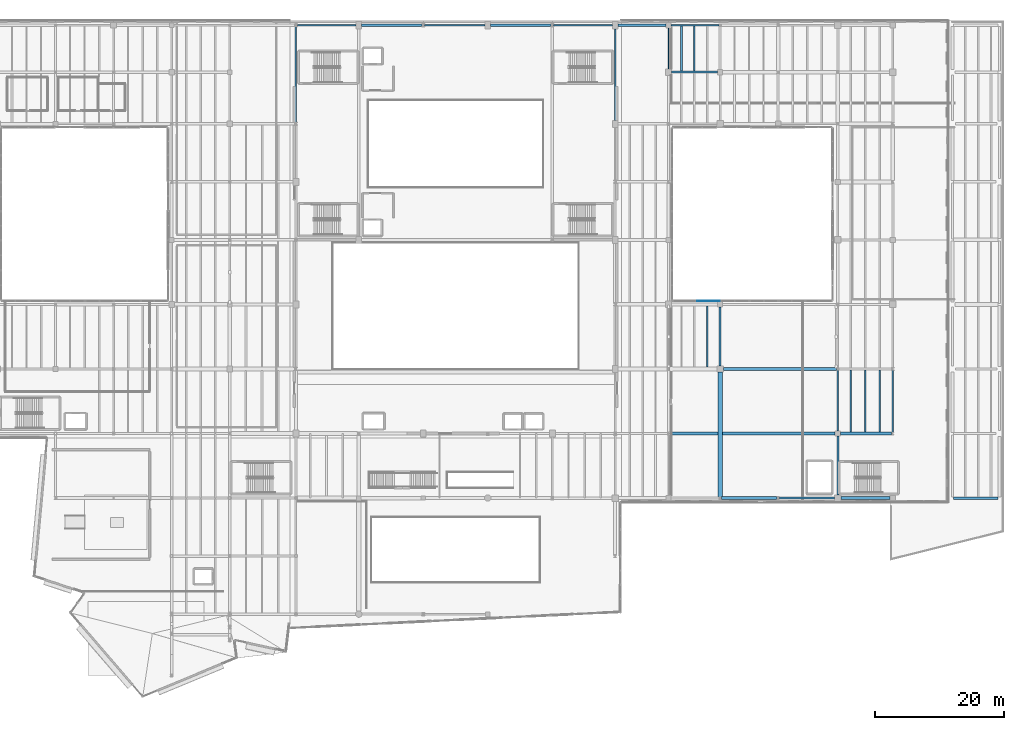
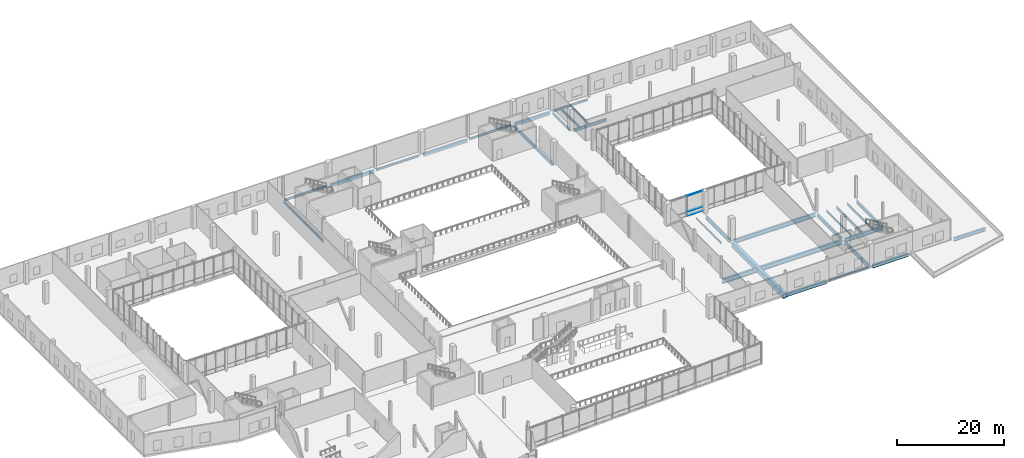
# One storey, part 39 of 73: 29 beams, 3 members, 1 element without a shape of its own.
"""IFC4 building model written with IfcOpenShell, lengths in metres."""

from ifc_helpers import new_model, si_unit, direction, frame, origin, origin_2d, place, context, subcontext, project, spatial, rectangle, i_section, extrude, material, material_profile, profile_set, type_object, element, aggregate, save


model = new_model("IFC4")

# Units and contexts
model_context = context("Model", 3, precision=1e-05, world=origin(), true_north=direction((0.0, 1.0)))
body_context = subcontext(model_context, "Body", "Model", "MODEL_VIEW")
ifc_project = project(units=[si_unit("LENGTHUNIT", "METRE"), si_unit("AREAUNIT", "SQUARE_METRE"), si_unit("VOLUMEUNIT", "CUBIC_METRE"), si_unit("PLANEANGLEUNIT", "RADIAN"), si_unit("MASSUNIT", "GRAM", prefix="KILO")], contexts=[model_context])

# Site, building, storey
site_placement = place(None, origin())
site = spatial("IfcSite", under=ifc_project, at=site_placement, CompositionType="ELEMENT")
building_placement = place(site_placement, origin())
building = spatial("IfcBuilding", under=site, at=building_placement, Name="Trimount Lyric Opera House", CompositionType="ELEMENT")
storey_placement = place(building_placement, frame((0.0, 0.0, 10.0)))
storey = spatial("IfcBuildingStorey", under=building, at=storey_placement, Name="L02", CompositionType="ELEMENT", Elevation=10.0)

# Beams
ifc_material_1 = material(Name="Steel ASTM A992 Grade 50", Category="steel")
ifc_material_profile_1 = material_profile(ifc_material_1, i_section(OverallWidth=0.4189453125, OverallDepth=0.927001953125, WebThickness=0.019287109375, FlangeThickness=0.031982421875, FilletRadius=0.02392578125, at=origin_2d()), Name="W36X231")
ifc_profile_set_1 = profile_set([ifc_material_profile_1], Name="Steel ASTM A992 Grade 50")
beam_type_1 = type_object("IfcBeamType", Name="B-02", PredefinedType="BEAM", material=ifc_profile_set_1)
beam_1_placement = place(storey_placement, frame((130.5, 64.0, -0.743408203125), z_axis=(1.0, 0.0, 0.0), x_axis=(0.0, 1.0, 0.0)))
element("IfcBeam", 1, at=beam_1_placement, inside=storey, type_object=beam_type_1, Name="L02 girder X-0758", PredefinedType="BEAM", context=body_context, shape_type="SweptSolid", body=[
    extrude(i_section(OverallWidth=0.4189453125, OverallDepth=0.927001953125, WebThickness=0.019287109375, FlangeThickness=0.031982421875, FilletRadius=0.02392578125, at=origin_2d()), origin(), (0.0, 0.0, 1.0), 17.553466796875),
])
ifc_material_2 = material(Name="Steel ASTM A992 Grade 50", Category="steel")
ifc_material_profile_2 = material_profile(ifc_material_2, i_section(OverallWidth=0.304931640625, OverallDepth=0.9189453125, WebThickness=0.017333984375, FlangeThickness=0.02783203125, FilletRadius=0.02001953125, at=origin_2d()), Name="W36X170")
ifc_profile_set_2 = profile_set([ifc_material_profile_2], Name="Steel ASTM A992 Grade 50")
beam_type_2 = type_object("IfcBeamType", Name="B-03", PredefinedType="BEAM", material=ifc_profile_set_2)
for number, where, z_axis, x_axis, name in (
    (2, (130.0, 64.5, -0.739501953125), (0.0, 1.0, 0.0), (-1.0, 0.0, 0.0), "L02 girder Y-0904"),
    (3, (148.239990234375, 44.5, -0.739501953125), (0.0, 1.0, 0.0), (-1.0, 0.0, 0.0), "L02 girder Y-0909"),
):
    element("IfcBeam", number, at=place(storey_placement, frame(where, z_axis=z_axis, x_axis=x_axis)), inside=storey, type_object=beam_type_2, Name=name, PredefinedType="BEAM", context=body_context, shape_type="SweptSolid", body=[
        extrude(i_section(OverallWidth=0.304931640625, OverallDepth=0.9189453125, WebThickness=0.017333984375, FlangeThickness=0.02783203125, FilletRadius=0.02001953125, at=origin_2d()), origin(), (0.0, 0.0, 1.0), 9.10009765625),
    ])
ifc_material_3 = material(Name="Steel ASTM A992 Grade 50", Category="steel")
ifc_material_profile_3 = material_profile(ifc_material_3, i_section(OverallWidth=0.40087890625, OverallDepth=0.861083984375, WebThickness=0.019775390625, FlangeThickness=0.032470703125, FilletRadius=0.02001953125, at=origin_2d()), Name="W33X221")
ifc_profile_set_3 = profile_set([ifc_material_profile_3], Name="Steel ASTM A992 Grade 50")
beam_type_3 = type_object("IfcBeamType", Name="B-04", PredefinedType="BEAM", material=ifc_profile_set_3)
beam_2_placement = place(storey_placement, frame((148.639892578125, 54.0, -0.71044921875), z_axis=(1.0, 0.0, 0.0), x_axis=(0.0, 1.0, 0.0)))
element("IfcBeam", 4, at=beam_2_placement, inside=storey, type_object=beam_type_3, Name="L02 girder X-0747", PredefinedType="BEAM", context=body_context, shape_type="SweptSolid", body=[
    extrude(i_section(OverallWidth=0.40087890625, OverallDepth=0.861083984375, WebThickness=0.019775390625, FlangeThickness=0.032470703125, FilletRadius=0.02001953125, at=origin_2d()), origin(), (0.0, 0.0, 1.0), 7.93359375),
])
ifc_material_4 = material(Name="Steel ASTM A992 Grade 50", Category="steel")
ifc_material_profile_4 = material_profile(ifc_material_4, i_section(OverallWidth=0.2919921875, OverallDepth=0.845947265625, WebThickness=0.015380859375, FlangeThickness=0.0244140625, FilletRadius=0.01806640625, at=origin_2d()), Name="W33X141")
ifc_profile_set_4 = profile_set([ifc_material_profile_4], Name="Steel ASTM A992 Grade 50")
beam_type_4 = type_object("IfcBeamType", Name="B-05", PredefinedType="BEAM", material=ifc_profile_set_4)
beam_3_placement = place(storey_placement, frame((148.239990234375, 54.39990234375, -0.702880859375), z_axis=(0.0, 1.0, 0.0), x_axis=(-1.0, 0.0, 0.0)))
element("IfcBeam", 5, at=beam_3_placement, inside=storey, type_object=beam_type_4, Name="L02 girder Y-0910", PredefinedType="BEAM", context=body_context, shape_type="SweptSolid", body=[
    extrude(i_section(OverallWidth=0.2919921875, OverallDepth=0.845947265625, WebThickness=0.015380859375, FlangeThickness=0.0244140625, FilletRadius=0.01806640625, at=origin_2d()), origin(), (0.0, 0.0, 1.0), 9.416015625),
])
ifc_material_5 = material(Name="Steel ASTM A992 Grade 50", Category="steel")
ifc_material_profile_5 = material_profile(ifc_material_5, i_section(OverallWidth=0.382080078125, OverallDepth=0.779052734375, WebThickness=0.01806640625, FlangeThickness=0.0302734375, FilletRadius=0.01904296875, at=origin_2d()), Name="W30X191")
ifc_profile_set_5 = profile_set([ifc_material_profile_5], Name="Steel ASTM A992 Grade 50")
beam_type_5 = type_object("IfcBeamType", Name="B-06", PredefinedType="BEAM", material=ifc_profile_set_5)
beam_4_placement = place(storey_placement, frame((166.1865234375, 44.0, -0.659423828125), z_axis=(1.0, 0.0, 0.0), x_axis=(0.0, 1.0, 0.0)))
element("IfcBeam", 6, at=beam_4_placement, inside=storey, type_object=beam_type_5, Name="L02 girder X-0734", PredefinedType="BEAM", context=body_context, shape_type="SweptSolid", body=[
    extrude(i_section(OverallWidth=0.382080078125, OverallDepth=0.779052734375, WebThickness=0.01806640625, FlangeThickness=0.0302734375, FilletRadius=0.01904296875, at=origin_2d()), origin(), (0.0, 0.0, 1.0), 6.89404296875),
])
ifc_material_6 = material(Name="Steel ASTM A992 Grade 50", Category="steel")
ifc_material_profile_6 = material_profile(ifc_material_6, i_section(OverallWidth=0.26708984375, OverallDepth=0.761962890625, WebThickness=0.014404296875, FlangeThickness=0.021484375, FilletRadius=0.01708984375, at=origin_2d()), Name="W30X116")
ifc_profile_set_6 = profile_set([ifc_material_profile_6], Name="Steel ASTM A992 Grade 50")
beam_type_6 = type_object("IfcBeamType", Name="B-07", PredefinedType="BEAM", material=ifc_profile_set_6)
beam_5_placement = place(storey_placement, frame((113.739990234375, 102.550048828125, -0.7060546875), z_axis=(0.0, 1.0, 0.0), x_axis=(-1.0, 0.0, 0.0)))
element("IfcBeam", 7, at=beam_5_placement, inside=storey, type_object=beam_type_6, Name="L02 girder Y-0894", PredefinedType="BEAM", context=body_context, shape_type="SweptSolid", body=[
    extrude(i_section(OverallWidth=0.26708984375, OverallDepth=0.761962890625, WebThickness=0.014404296875, FlangeThickness=0.021484375, FilletRadius=0.01708984375, at=origin_2d()), origin(), (0.0, 0.0, 1.0), 14.179931640625),
])
beam_6_placement = place(storey_placement, frame((156.760009765625, 54.18408203125, -0.660888671875), z_axis=(0.0, 1.0, 0.0), x_axis=(-1.0, 0.0, 0.0)))
element("IfcBeam", 8, at=beam_6_placement, inside=storey, type_object=beam_type_6, Name="L02 girder Y-0917", PredefinedType="BEAM", context=body_context, shape_type="SweptSolid", body=[
    extrude(i_section(OverallWidth=0.26708984375, OverallDepth=0.761962890625, WebThickness=0.014404296875, FlangeThickness=0.021484375, FilletRadius=0.01708984375, at=origin_2d()), origin(), (0.0, 0.0, 1.0), 9.622802734375),
])
ifc_material_7 = material(Name="Steel ASTM A992 Grade 50", Category="steel")
ifc_material_profile_7 = material_profile(ifc_material_7, i_section(OverallWidth=0.327880859375, OverallDepth=0.626953125, WebThickness=0.0166015625, FlangeThickness=0.027587890625, FilletRadius=0.01611328125, at=origin_2d()), Name="W24X146")
ifc_profile_set_7 = profile_set([ifc_material_profile_7], Name="Steel ASTM A992 Grade 50")
beam_type_7 = type_object("IfcBeamType", Name="B-10", PredefinedType="BEAM", material=ifc_profile_set_7)
beam_7_placement = place(storey_placement, frame((122.5, 110.0, -0.603515625), z_axis=(1.0, 0.0, 0.0), x_axis=(0.0, 1.0, 0.0)))
element("IfcBeam", 9, at=beam_7_placement, inside=storey, type_object=beam_type_7, Name="L02 girder X-0806", PredefinedType="BEAM", context=body_context, shape_type="SweptSolid", body=[
    extrude(i_section(OverallWidth=0.327880859375, OverallDepth=0.626953125, WebThickness=0.0166015625, FlangeThickness=0.027587890625, FilletRadius=0.01611328125, at=origin_2d()), origin(), (0.0, 0.0, 1.0), 7.10009765625),
])
ifc_material_8 = material(Name="Steel ASTM A992 Grade 50", Category="steel")
ifc_material_profile_8 = material_profile(ifc_material_8, i_section(OverallWidth=0.22998046875, OverallDepth=0.616943359375, WebThickness=0.01318359375, FlangeThickness=0.022216796875, FilletRadius=0.013916015625, at=origin_2d()), Name="W24X94")
ifc_profile_set_8 = profile_set([ifc_material_profile_8], Name="Steel ASTM A992 Grade 50")
beam_type_8 = type_object("IfcBeamType", Name="B-11", PredefinedType="BEAM", material=ifc_profile_set_8)
beam_8_placement = place(storey_placement, frame((64.260009765625, 102.232421875, -0.633544921875), z_axis=(0.0, 1.0, 0.0), x_axis=(-1.0, 0.0, 0.0)))
element("IfcBeam", 10, at=beam_8_placement, inside=storey, type_object=beam_type_8, Name="L02 girder Y-0881", PredefinedType="BEAM", context=body_context, shape_type="SweptSolid", body=[
    extrude(i_section(OverallWidth=0.22998046875, OverallDepth=0.616943359375, WebThickness=0.01318359375, FlangeThickness=0.022216796875, FilletRadius=0.013916015625, at=origin_2d()), origin(), (0.0, 0.0, 1.0), 14.815185546875),
])
beam_9_placement = place(storey_placement, frame((122.0, 110.5, -0.598388671875), z_axis=(0.0, 1.0, 0.0), x_axis=(-1.0, 0.0, 0.0)))
element("IfcBeam", 11, at=beam_9_placement, inside=storey, type_object=beam_type_8, Name="L02 girder Y-0902", PredefinedType="BEAM", context=body_context, shape_type="SweptSolid", body=[
    extrude(i_section(OverallWidth=0.22998046875, OverallDepth=0.616943359375, WebThickness=0.01318359375, FlangeThickness=0.022216796875, FilletRadius=0.013916015625, at=origin_2d()), origin(), (0.0, 0.0, 1.0), 6.3798828125),
])
ifc_material_9 = material(Name="Steel ASTM A992 Grade 50", Category="steel")
ifc_material_profile_9 = material_profile(ifc_material_9, i_section(OverallWidth=0.22802734375, OverallDepth=0.60205078125, WebThickness=0.010498046875, FlangeThickness=0.014892578125, FilletRadius=0.012939453125, at=origin_2d()), Name="W24X68")
ifc_profile_set_9 = profile_set([ifc_material_profile_9], Name="Steel ASTM A992 Grade 50")
beam_type_9 = type_object("IfcBeamType", Name="J-01", PredefinedType="BEAM", material=ifc_profile_set_9)
beam_10_placement = place(storey_placement, frame((152.5, 54.196533203125, -0.5810546875), z_axis=(0.0, 1.0, 0.0), x_axis=(-1.0, 0.0, 0.0)))
element("IfcBeam", 12, at=beam_10_placement, inside=storey, type_object=beam_type_9, Name="L02 composite floor joist 0945", PredefinedType="BEAM", context=body_context, shape_type="SweptSolid", body=[
    extrude(i_section(OverallWidth=0.22802734375, OverallDepth=0.60205078125, WebThickness=0.010498046875, FlangeThickness=0.014892578125, FilletRadius=0.012939453125, at=origin_2d()), origin(), (0.0, 0.0, 1.0), 9.616455078125),
])
ifc_material_10 = material(Name="Steel ASTM A992 Grade 50", Category="steel")
ifc_material_profile_10 = material_profile(ifc_material_10, i_section(OverallWidth=0.2099609375, OverallDepth=0.532958984375, WebThickness=0.01025390625, FlangeThickness=0.015625, FilletRadius=0.012939453125, at=origin_2d()), Name="W21X62")
ifc_profile_set_10 = profile_set([ifc_material_profile_10], Name="Steel ASTM A992 Grade 50")
beam_type_10 = type_object("IfcBeamType", Name="J-02", PredefinedType="BEAM", material=ifc_profile_set_10)
beam_11_placement = place(storey_placement, frame((154.75, 54.196533203125, -0.54638671875), z_axis=(0.0, 1.0, 0.0), x_axis=(-1.0, 0.0, 0.0)))
element("IfcBeam", 13, at=beam_11_placement, inside=storey, type_object=beam_type_10, Name="L02 composite floor joist 0946", PredefinedType="BEAM", context=body_context, shape_type="SweptSolid", body=[
    extrude(i_section(OverallWidth=0.2099609375, OverallDepth=0.532958984375, WebThickness=0.01025390625, FlangeThickness=0.015625, FilletRadius=0.012939453125, at=origin_2d()), origin(), (0.0, 0.0, 1.0), 9.616455078125),
])
ifc_material_11 = material(Name="Steel ASTM A992 Grade 50", Category="steel")
ifc_material_profile_11 = material_profile(ifc_material_11, i_section(OverallWidth=0.281982421875, OverallDepth=0.467041015625, WebThickness=0.01220703125, FlangeThickness=0.01953125, FilletRadius=0.012939453125, at=origin_2d()), Name="W18X86")
ifc_profile_set_11 = profile_set([ifc_material_profile_11], Name="Steel ASTM A992 Grade 50")
beam_type_11 = type_object("IfcBeamType", Name="J-03", PredefinedType="BEAM", material=ifc_profile_set_11)
beam_12_placement = place(storey_placement, frame((124.0, 110.159912109375, -0.5234375), z_axis=(0.0, 1.0, 0.0), x_axis=(-1.0, 0.0, 0.0)))
element("IfcBeam", 14, at=beam_12_placement, inside=storey, type_object=beam_type_11, Name="L02 composite floor joist 0929", PredefinedType="BEAM", context=body_context, shape_type="SweptSolid", body=[
    extrude(i_section(OverallWidth=0.281982421875, OverallDepth=0.467041015625, WebThickness=0.01220703125, FlangeThickness=0.01953125, FilletRadius=0.012939453125, at=origin_2d()), origin(), (0.0, 0.0, 1.0), 6.983154296875),
])
ifc_material_12 = material(Name="Steel ASTM A992 Grade 50", Category="steel")
ifc_material_profile_12 = material_profile(ifc_material_12, i_section(OverallWidth=0.19091796875, OverallDepth=0.45703125, WebThickness=0.009033203125, FlangeThickness=0.014404296875, FilletRadius=0.010986328125, at=origin_2d()), Name="W18X50")
ifc_profile_set_12 = profile_set([ifc_material_profile_12], Name="Steel ASTM A992 Grade 50")
beam_type_12 = type_object("IfcBeamType", Name="J-04", PredefinedType="BEAM", material=ifc_profile_set_12)
beam_13_placement = place(storey_placement, frame((126.0, 110.159912109375, -0.5185546875), z_axis=(0.0, 1.0, 0.0), x_axis=(-1.0, 0.0, 0.0)))
element("IfcBeam", 15, at=beam_13_placement, inside=storey, type_object=beam_type_12, Name="L02 composite floor joist 0930", PredefinedType="BEAM", context=body_context, shape_type="SweptSolid", body=[
    extrude(i_section(OverallWidth=0.19091796875, OverallDepth=0.45703125, WebThickness=0.009033203125, FlangeThickness=0.014404296875, FilletRadius=0.010986328125, at=origin_2d()), origin(), (0.0, 0.0, 1.0), 6.983154296875),
])
ifc_material_13 = material(Name="Steel ASTM A992 Grade 50", Category="steel")
ifc_material_profile_13 = material_profile(ifc_material_13, i_section(OverallWidth=0.177978515625, OverallDepth=0.404052734375, WebThickness=0.007568359375, FlangeThickness=0.010986328125, FilletRadius=0.010009765625, at=origin_2d()), Name="W16X36")
ifc_profile_set_13 = profile_set([ifc_material_profile_13], Name="Steel ASTM A992 Grade 50")
beam_type_13 = type_object("IfcBeamType", Name="J-06", PredefinedType="BEAM", material=ifc_profile_set_13)
beam_14_placement = place(storey_placement, frame((128.0, 64.27099609375, -0.48193359375), z_axis=(0.0, 1.0, 0.0), x_axis=(-1.0, 0.0, 0.0)))
element("IfcBeam", 16, at=beam_14_placement, inside=storey, type_object=beam_type_13, Name="L02 composite floor joist 0925", PredefinedType="BEAM", context=body_context, shape_type="SweptSolid", body=[
    extrude(i_section(OverallWidth=0.177978515625, OverallDepth=0.404052734375, WebThickness=0.007568359375, FlangeThickness=0.010986328125, FilletRadius=0.010009765625, at=origin_2d()), origin(), (0.0, 0.0, 1.0), 9.508056640625),
])
beam_15_placement = place(storey_placement, frame((150.25, 54.196533203125, -0.48193359375), z_axis=(0.0, 1.0, 0.0), x_axis=(-1.0, 0.0, 0.0)))
element("IfcBeam", 17, at=beam_15_placement, inside=storey, type_object=beam_type_13, Name="L02 composite floor joist 0944", PredefinedType="BEAM", context=body_context, shape_type="SweptSolid", body=[
    extrude(i_section(OverallWidth=0.177978515625, OverallDepth=0.404052734375, WebThickness=0.007568359375, FlangeThickness=0.010986328125, FilletRadius=0.010009765625, at=origin_2d()), origin(), (0.0, 0.0, 1.0), 9.616455078125),
])
ifc_material_14 = material(Name="Steel ASTM A992 Grade 50", Category="steel")
ifc_material_profile_14 = material_profile(ifc_material_14, i_section(OverallWidth=0.281982421875, OverallDepth=0.467041015625, WebThickness=0.01220703125, FlangeThickness=0.01953125, FilletRadius=0.012939453125, at=origin_2d()), Name="W18X86")
ifc_profile_set_14 = profile_set([ifc_material_profile_14], Name="Steel ASTM A992 Grade 50")
beam_type_14 = type_object("IfcBeamType", Name="SP-01", PredefinedType="SPANDREL", material=ifc_profile_set_14)
beam_16_placement = place(storey_placement, frame((139.199462890625, 44.0, -0.513427734375), z_axis=(1.0, 0.0, 0.0), x_axis=(0.0, 1.0, 0.0)))
element("IfcBeam", 18, at=beam_16_placement, inside=storey, type_object=beam_type_14, Name="L02 girder X-0732", PredefinedType="SPANDREL", context=body_context, shape_type="SweptSolid", body=[
    extrude(i_section(OverallWidth=0.281982421875, OverallDepth=0.467041015625, WebThickness=0.01220703125, FlangeThickness=0.01953125, FilletRadius=0.012939453125, at=origin_2d()), origin(), (0.0, 0.0, 1.0), 8.54052734375),
])
beam_17_placement = place(storey_placement, frame((64.470947265625, 117.280029296875, -0.55859375), z_axis=(1.0, 0.0, 0.0), x_axis=(0.0, 1.0, 0.0)))
element("IfcBeam", 19, at=beam_17_placement, inside=storey, type_object=beam_type_14, Name="L02 girder X-0818", PredefinedType="SPANDREL", context=body_context, shape_type="SweptSolid", body=[
    extrude(i_section(OverallWidth=0.281982421875, OverallDepth=0.467041015625, WebThickness=0.01220703125, FlangeThickness=0.01953125, FilletRadius=0.012939453125, at=origin_2d()), origin(), (0.0, 0.0, 1.0), 9.0791015625),
])
beam_18_placement = place(storey_placement, frame((84.2109375, 117.280029296875, -0.55859375), z_axis=(1.0, 0.0, 0.0), x_axis=(0.0, 1.0, 0.0)))
element("IfcBeam", 20, at=beam_18_placement, inside=storey, type_object=beam_type_14, Name="L02 girder X-0820", PredefinedType="SPANDREL", context=body_context, shape_type="SweptSolid", body=[
    extrude(i_section(OverallWidth=0.281982421875, OverallDepth=0.467041015625, WebThickness=0.01220703125, FlangeThickness=0.01953125, FilletRadius=0.012939453125, at=origin_2d()), origin(), (0.0, 0.0, 1.0), 9.339111328125),
])
beam_19_placement = place(storey_placement, frame((104.2109375, 117.280029296875, -0.55859375), z_axis=(1.0, 0.0, 0.0), x_axis=(0.0, 1.0, 0.0)))
element("IfcBeam", 21, at=beam_19_placement, inside=storey, type_object=beam_type_14, Name="L02 girder X-0822", PredefinedType="SPANDREL", context=body_context, shape_type="SweptSolid", body=[
    extrude(i_section(OverallWidth=0.281982421875, OverallDepth=0.467041015625, WebThickness=0.01220703125, FlangeThickness=0.01953125, FilletRadius=0.012939453125, at=origin_2d()), origin(), (0.0, 0.0, 1.0), 9.0791015625),
])
beam_20_placement = place(storey_placement, frame((122.39990234375, 117.280029296875, -0.5234375), z_axis=(1.0, 0.0, 0.0), x_axis=(0.0, 1.0, 0.0)))
element("IfcBeam", 22, at=beam_20_placement, inside=storey, type_object=beam_type_14, Name="L02 girder X-0824", PredefinedType="SPANDREL", context=body_context, shape_type="SweptSolid", body=[
    extrude(i_section(OverallWidth=0.281982421875, OverallDepth=0.467041015625, WebThickness=0.01220703125, FlangeThickness=0.01953125, FilletRadius=0.012939453125, at=origin_2d()), origin(), (0.0, 0.0, 1.0), 7.41357421875),
])
ifc_material_15 = material(Name="Concrete C40/50", Category="concrete")
ifc_material_profile_15 = material_profile(ifc_material_15, rectangle(XDim=0.449951171875, YDim=0.699951171875, at=origin_2d()), Name="RC450X700")
ifc_profile_set_15 = profile_set([ifc_material_profile_15], Name="Concrete C40/50")
beam_type_15 = type_object("IfcBeamType", Name="SP-02", PredefinedType="SPANDREL", material=ifc_profile_set_15)
beam_21_placement = place(storey_placement, frame((130.1865234375, 44.0, -0.6298828125), z_axis=(1.0, 0.0, 0.0), x_axis=(0.0, 1.0, 0.0)))
element("IfcBeam", 23, at=beam_21_placement, inside=storey, type_object=beam_type_15, Name="L02 girder X-0731", PredefinedType="SPANDREL", context=body_context, shape_type="SweptSolid", body=[
    extrude(rectangle(XDim=0.449951171875, YDim=0.699951171875, at=origin_2d()), origin(), (0.0, 0.0, 1.0), 8.614013671875),
])
beam_22_placement = place(storey_placement, frame((148.739990234375, 44.0, -0.6298828125), z_axis=(1.0, 0.0, 0.0), x_axis=(0.0, 1.0, 0.0)))
element("IfcBeam", 24, at=beam_22_placement, inside=storey, type_object=beam_type_15, Name="L02 girder X-0733", PredefinedType="SPANDREL", context=body_context, shape_type="SweptSolid", body=[
    extrude(rectangle(XDim=0.449951171875, YDim=0.699951171875, at=origin_2d()), origin(), (0.0, 0.0, 1.0), 7.6201171875),
])
for number, where, z_axis, x_axis, name in (
    (25, (74.449951171875, 117.280029296875, -0.675048828125), (1.0, 0.0, 0.0), (0.0, 1.0, 0.0), "L02 girder X-0819"),
    (26, (94.449951171875, 117.280029296875, -0.675048828125), (1.0, 0.0, 0.0), (0.0, 1.0, 0.0), "L02 girder X-0821"),
):
    element("IfcBeam", number, at=place(storey_placement, frame(where, z_axis=z_axis, x_axis=x_axis)), inside=storey, type_object=beam_type_15, Name=name, PredefinedType="SPANDREL", context=body_context, shape_type="SweptSolid", body=[
        extrude(rectangle(XDim=0.449951171875, YDim=0.699951171875, at=origin_2d()), origin(), (0.0, 0.0, 1.0), 9.339111328125),
    ])
beam_23_placement = place(storey_placement, frame((114.18994140625, 117.280029296875, -0.675048828125), z_axis=(1.0, 0.0, 0.0), x_axis=(0.0, 1.0, 0.0)))
element("IfcBeam", 27, at=beam_23_placement, inside=storey, type_object=beam_type_15, Name="L02 girder X-0823", PredefinedType="SPANDREL", context=body_context, shape_type="SweptSolid", body=[
    extrude(rectangle(XDim=0.449951171875, YDim=0.699951171875, at=origin_2d()), origin(), (0.0, 0.0, 1.0), 7.41015625),
])
ifc_material_16 = material(Name="Steel ASTM A992 Grade 50", Category="steel")
ifc_material_profile_16 = material_profile(ifc_material_16, i_section(OverallWidth=0.4189453125, OverallDepth=1.052001953125, WebThickness=0.023681640625, FlangeThickness=0.0419921875, FilletRadius=0.02490234375, at=origin_2d()), Name="W40X297")
ifc_profile_set_16 = profile_set([ifc_material_profile_16], Name="Steel ASTM A992 Grade 50")
beam_type_16 = type_object("IfcBeamType", Name="TG-03", PredefinedType="USERDEFINED", material=ifc_profile_set_16)
beam_24_placement = place(storey_placement, frame((122.1865234375, 54.0, -0.805908203125), z_axis=(1.0, 0.0, 0.0), x_axis=(0.0, 1.0, 0.0)))
element("IfcBeam", 28, at=beam_24_placement, inside=storey, type_object=beam_type_16, Name="L02 girder X-0746", ObjectType="TRANSFER_GIRDER", PredefinedType="USERDEFINED", context=body_context, shape_type="SweptSolid", body=[
    extrude(i_section(OverallWidth=0.4189453125, OverallDepth=1.052001953125, WebThickness=0.023681640625, FlangeThickness=0.0419921875, FilletRadius=0.02490234375, at=origin_2d()), origin(), (0.0, 0.0, 1.0), 25.653564453125),
])
ifc_material_17 = material(Name="Concrete C40/50", Category="concrete")
ifc_material_profile_17 = material_profile(ifc_material_17, rectangle(XDim=0.699951171875, YDim=1.199951171875, at=origin_2d()), Name="RC700X1200")
ifc_profile_set_17 = profile_set([ifc_material_profile_17], Name="Concrete C40/50")
beam_type_17 = type_object("IfcBeamType", Name="TG-05", PredefinedType="USERDEFINED", material=ifc_profile_set_17)
beam_25_placement = place(storey_placement, frame((130.0, 44.18408203125, -0.8798828125), z_axis=(0.0, 1.0, 0.0), x_axis=(-1.0, 0.0, 0.0)))
element("IfcBeam", 29, at=beam_25_placement, inside=storey, type_object=beam_type_17, Name="L02 girder Y-0903", ObjectType="TRANSFER_GIRDER", PredefinedType="USERDEFINED", context=body_context, shape_type="SweptSolid", body=[
    extrude(rectangle(XDim=0.699951171875, YDim=1.199951171875, at=origin_2d()), origin(), (0.0, 0.0, 1.0), 19.31591796875),
])

# Curtain wall, members
ifc_material_18 = material(Name="Thermally Broken Aluminium and Low-E Glass", Category="aluminium")
curtain_wall_type = type_object("IfcCurtainWallType", Name="CW-03", PredefinedType="NOTDEFINED", material=ifc_material_18)
curtain_wall_placement = place(storey_placement, origin())
curtain_wall = element("IfcCurtainWall", 30, at=curtain_wall_placement, inside=storey, type_object=curtain_wall_type, Name="L02 curtain wall 223", PredefinedType="NOTDEFINED")
ifc_material_19 = material(Name="Anodised Aluminium 6063-T6", Category="aluminium")
ifc_material_profile_18 = material_profile(ifc_material_19, rectangle(XDim=0.135009765625, YDim=0.06494140625, at=origin_2d()), Name="ALU-TRAN-65X135")
ifc_profile_set_18 = profile_set([ifc_material_profile_18], Name="Anodised Aluminium 6063-T6")
member_type = type_object("IfcMemberType", Name="TR-02", PredefinedType="USERDEFINED", material=ifc_profile_set_18)
member_1_placement = place(storey_placement, frame((126.4951171875, 74.5400390625, 0.0673828125), z_axis=(1.0, 0.0, 0.0), x_axis=(0.0, 1.0, 0.0)))
member_1 = element("IfcMember", 31, at=member_1_placement, type_object=member_type, Name="CW-03 transom 1.1", ObjectType="TRANSOM", PredefinedType="USERDEFINED", context=body_context, shape_type="SweptSolid", body=[
    extrude(rectangle(XDim=0.135009765625, YDim=0.06494140625, at=origin_2d()), origin(), (0.0, 0.0, 1.0), 3.43994140625),
])
member_2_placement = place(storey_placement, frame((126.4951171875, 74.5400390625, 1.050048828125), z_axis=(1.0, 0.0, 0.0), x_axis=(0.0, 1.0, 0.0)))
member_2 = element("IfcMember", 32, at=member_2_placement, type_object=member_type, Name="CW-03 transom 1.2", ObjectType="TRANSOM", PredefinedType="USERDEFINED", context=body_context, shape_type="SweptSolid", body=[
    extrude(rectangle(XDim=0.135009765625, YDim=0.06494140625, at=origin_2d()), origin(), (0.0, 0.0, 1.0), 3.43994140625),
])
member_3_placement = place(storey_placement, frame((126.4951171875, 74.5400390625, 4.652587890625), z_axis=(1.0, 0.0, 0.0), x_axis=(0.0, 1.0, 0.0)))
member_3 = element("IfcMember", 33, at=member_3_placement, type_object=member_type, Name="CW-03 transom 1.3", ObjectType="TRANSOM", PredefinedType="USERDEFINED", context=body_context, shape_type="SweptSolid", body=[
    extrude(rectangle(XDim=0.135009765625, YDim=0.06494140625, at=origin_2d()), origin(), (0.0, 0.0, 1.0), 3.43994140625),
])
aggregate(curtain_wall, [member_1, member_2, member_3])

save(model, "model.ifc")
